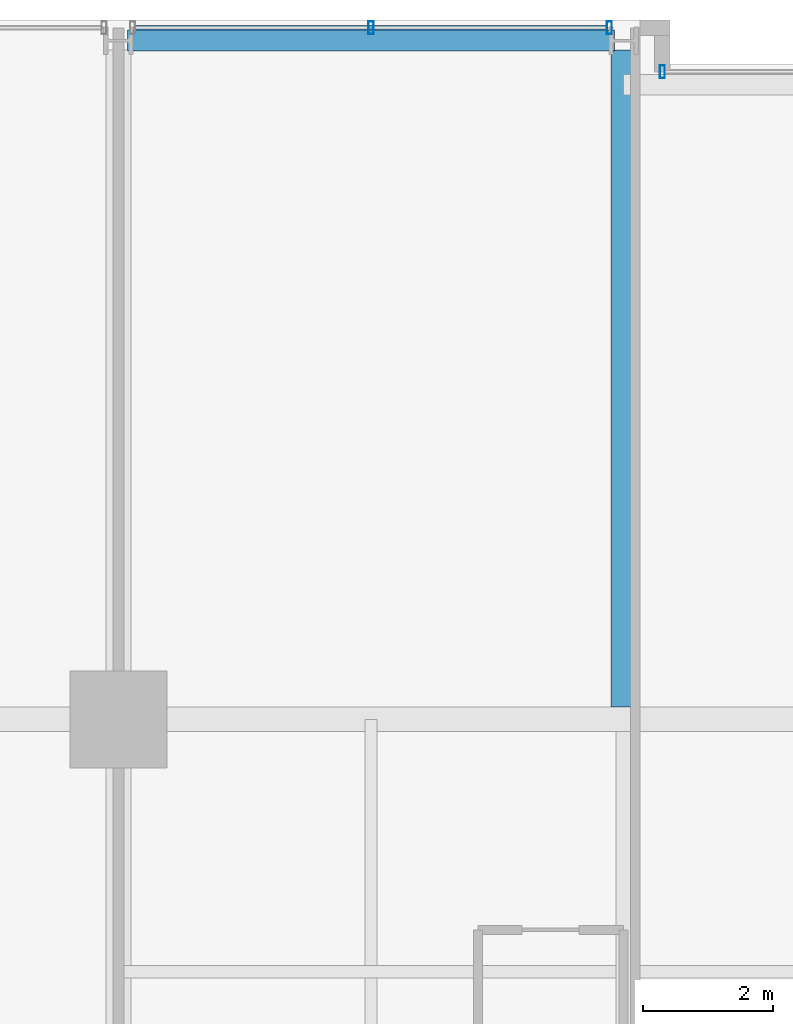
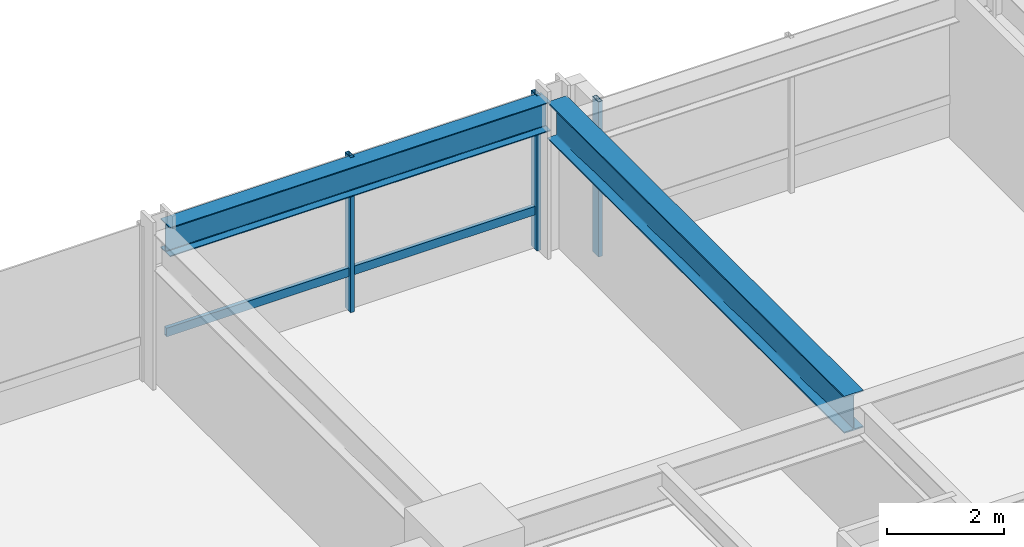
# One storey, part 21 of 33: 4 members, 2 beams, 2 elements without a shape of their own.
"""IFC4 building model written with IfcOpenShell, lengths in metres."""

import ifcopenshell
import ifcopenshell.guid

model = None  # the IFC model being written
_history = None  # IfcOwnerHistory: only IFC2X3 demands one
_inside = {}  # id of a spatial element -> (the spatial element, [elements in it])
_under = {}  # id of a project, library or spatial element -> (it, [spatial elements below it])
_declared = {}  # id of a project -> (the project, [libraries it declares])
_typed = {}  # id of a type object -> (the type object, [elements of that type])
_made_of = {}  # id of a material, layer set ... -> (it, [elements and type objects made of it])


def new_model(schema):
    """Start an empty IFC model of exactly this schema.

    Asked for "IFC4X3", IfcOpenShell would pick the latest addendum, in which some entities
    have other attributes; the version numbers below select the first issue.
    IFC2X3 requires an IfcOwnerHistory on every rooted entity: one is made here for all.
    """
    global model, _history
    if schema == "IFC4X3":
        model = ifcopenshell.file(schema_version=(4, 3, 0, 0))
    else:
        model = ifcopenshell.file(schema=schema)
    _inside.clear()
    _under.clear()
    _declared.clear()
    _typed.clear()
    _made_of.clear()
    _history = None
    if model.schema == "IFC2X3":
        org = make("IfcOrganization", Name="unknown")
        user = make(
            "IfcPersonAndOrganization",
            ThePerson=make("IfcPerson", FamilyName="unknown"),
            TheOrganization=org,
        )
        app = make(
            "IfcApplication",
            ApplicationDeveloper=org,
            Version="unknown",
            ApplicationFullName="unknown",
            ApplicationIdentifier="unknown",
        )
        _history = make(
            "IfcOwnerHistory",
            OwningUser=user,
            OwningApplication=app,
            ChangeAction="ADDED",
            CreationDate=0,
        )
    return model


def make(cls, **values):
    """One entity of the class cls with the attributes given. An attribute that is None is left unset."""
    return model.create_entity(
        cls, **{name: value for name, value in values.items() if value is not None}
    )


def rooted(cls, **values):
    """An entity with a GlobalId (a new one), such as an element, a storey or a relation."""
    return make(cls, GlobalId=ifcopenshell.guid.new(), OwnerHistory=_history, **values)


def si_unit(unit_type, name, prefix=None):
    """IfcSIUnit, for example si_unit("LENGTHUNIT", "METRE", prefix="MILLI")."""
    return make("IfcSIUnit", UnitType=unit_type, Prefix=prefix, Name=name)


def assignment(units):
    """IfcUnitAssignment: the units of a project."""
    return None if units is None else make("IfcUnitAssignment", Units=units)


def point(xyz):
    """IfcCartesianPoint."""
    return None if xyz is None else make("IfcCartesianPoint", Coordinates=xyz)


def direction(xyz):
    """IfcDirection."""
    return None if xyz is None else make("IfcDirection", DirectionRatios=xyz)


def frame(location, z_axis=None, x_axis=None):
    """IfcAxis2Placement3D, a coordinate frame: its origin and axes. An axis left out is left unset."""
    return make(
        "IfcAxis2Placement3D",
        Location=point(location),
        Axis=direction(z_axis),
        RefDirection=direction(x_axis),
    )


def frame_2d(location, x_axis=None):
    """IfcAxis2Placement2D, a coordinate frame in the plane: its origin and x axis."""
    return make(
        "IfcAxis2Placement2D", Location=point(location), RefDirection=direction(x_axis)
    )


def origin():
    """The frame at (0, 0, 0) with its axes left unset."""
    return frame((0.0, 0.0, 0.0))


def origin_2d():
    """The frame at (0, 0) in the plane with its x axis left unset."""
    return frame_2d((0.0, 0.0))


def place(relative_to, where):
    """IfcLocalPlacement: puts the frame where relative to a parent placement (None: the world)."""
    return make(
        "IfcLocalPlacement", PlacementRelTo=relative_to, RelativePlacement=where
    )


def context(
    kind, dimensions, precision=None, world=None, true_north=None, identifier=None
):
    """IfcGeometricRepresentationContext, for example the 3D "Model" context."""
    return make(
        "IfcGeometricRepresentationContext",
        ContextIdentifier=identifier,
        ContextType=kind,
        CoordinateSpaceDimension=dimensions,
        Precision=precision,
        WorldCoordinateSystem=world,
        TrueNorth=true_north,
    )


def subcontext(parent, identifier, kind, view, scale=None):
    """IfcGeometricRepresentationSubContext, for example "Body" below "Model"."""
    return make(
        "IfcGeometricRepresentationSubContext",
        ContextIdentifier=identifier,
        ContextType=kind,
        ParentContext=parent,
        TargetScale=scale,
        TargetView=view,
    )


def project(units=None, contexts=None):
    """IfcProject with its units and contexts."""
    return rooted(
        "IfcProject",
        Name="project",
        RepresentationContexts=contexts,
        UnitsInContext=assignment(units),
    )


def spatial(cls, under=None, at=None, **own):
    """A site, building, storey or space (cls), placed at a placement, below another one or the project."""
    s = rooted(cls, ObjectPlacement=at, **own)
    if under is not None:
        _under.setdefault(under.id(), (under, []))[1].append(s)
    return s


def profile(cls, at=None, kind="AREA", **sizes):
    """A parametric profile (cls). Its sizes go by their IFC names, for example OverallWidth=200.0."""
    return make(cls, ProfileType=kind, Position=at, **sizes)


def hollow_rectangle(**sizes):
    """IfcRectangleHollowProfileDef."""
    return profile("IfcRectangleHollowProfileDef", **sizes)


def i_section(**sizes):
    """IfcIShapeProfileDef."""
    return profile("IfcIShapeProfileDef", **sizes)


def extrude(swept, where, along, depth):
    """IfcExtrudedAreaSolid: the profile swept, set in the frame where, extruded along a direction by depth."""
    return make(
        "IfcExtrudedAreaSolid",
        SweptArea=swept,
        Position=where,
        ExtrudedDirection=direction(along),
        Depth=depth,
    )


def shape(context_of_items, identifier, shape_type, items):
    """IfcShapeRepresentation: the items that make up one representation, for example the "Body"."""
    return make(
        "IfcShapeRepresentation",
        ContextOfItems=context_of_items,
        RepresentationIdentifier=identifier,
        RepresentationType=shape_type,
        Items=items,
    )


def material(Name=None, Category=None):
    """IfcMaterial."""
    return make("IfcMaterial", Name=Name, Category=Category)


def layer(
    of_material, thickness, ventilated=None, Name=None, Category=None, Priority=None
):
    """IfcMaterialLayer: one layer of a wall or slab, of a material (None: an air gap)."""
    return make(
        "IfcMaterialLayer",
        Material=of_material,
        LayerThickness=thickness,
        IsVentilated=ventilated,
        Name=Name,
        Category=Category,
        Priority=Priority,
    )


def layer_set(layers, Name=None):
    """IfcMaterialLayerSet."""
    return make("IfcMaterialLayerSet", MaterialLayers=layers, LayerSetName=Name)


def material_profile(
    of_material, cross_section, Name=None, Category=None, Priority=None
):
    """IfcMaterialProfile: a cross section and its material."""
    return make(
        "IfcMaterialProfile",
        Name=Name,
        Material=of_material,
        Profile=cross_section,
        Priority=Priority,
        Category=Category,
    )


def profile_set(profiles, Name=None, composite=None):
    """IfcMaterialProfileSet."""
    return make(
        "IfcMaterialProfileSet",
        Name=Name,
        MaterialProfiles=profiles,
        CompositeProfile=composite,
    )


def made_of(thing, what):
    """Note that an element or type object is made of a material, layer set ...; save() writes the relation."""
    if what is not None:
        _made_of.setdefault(what.id(), (what, []))[1].append(thing)
    return thing


def type_object(cls, material=None, **own):
    """A type object (cls), such as IfcWallType, which elements share."""
    return made_of(rooted(cls, **own), material)


def element(
    cls,
    number,
    at=None,
    inside=None,
    cuts=None,
    type_object=None,
    material=None,
    context=None,
    identifier="Body",
    shape_type=None,
    held_by="IfcProductDefinitionShape",
    body=None,
    shapes=None,
    **own,
):
    """One element of the class cls, such as IfcWall. Its Tag is "e" and its number.

    at: its placement. inside: the storey or other place that contains it. cuts: it is an
    opening in that element (IfcRelVoidsElement). A single representation is given by context,
    identifier, shape_type and body (its items); several are given by shapes. held_by: the class
    of the entity that holds the representations. save() writes the other relations.
    """
    e = rooted(cls, Tag="e%d" % number, ObjectPlacement=at, **own)
    if body is not None:
        shapes = [shape(context, identifier, shape_type, body)]
    if shapes is not None:
        e.Representation = make(held_by, Representations=shapes)
    if inside is not None:
        _inside.setdefault(inside.id(), (inside, []))[1].append(e)
    if cuts is not None:
        rooted(
            "IfcRelVoidsElement", RelatingBuildingElement=cuts, RelatedOpeningElement=e
        )
    if type_object is not None:
        _typed.setdefault(type_object.id(), (type_object, []))[1].append(e)
    return made_of(e, material)


def aggregate(whole, parts):
    """IfcRelAggregates: a whole, such as a stair, and the parts it consists of."""
    return rooted("IfcRelAggregates", RelatingObject=whole, RelatedObjects=parts)


def save(model, path):
    """Write the relations noted so far, then the file.

    IfcRelAggregates (storeys below a building ...), IfcRelContainedInSpatialStructure (elements
    in a storey), IfcRelDefinesByType, IfcRelAssociatesMaterial and IfcRelDeclares: one each for
    every whole, place, type object, material and project.
    """
    for whole, parts in _under.values():
        aggregate(whole, parts)
    for where, things in _inside.values():
        rooted(
            "IfcRelContainedInSpatialStructure",
            RelatedElements=things,
            RelatingStructure=where,
        )
    for kind, things in _typed.values():
        rooted("IfcRelDefinesByType", RelatedObjects=things, RelatingType=kind)
    for what, things in _made_of.values():
        rooted("IfcRelAssociatesMaterial", RelatedObjects=things, RelatingMaterial=what)
    for by, libraries in _declared.values():
        rooted("IfcRelDeclares", RelatingContext=by, RelatedDefinitions=libraries)
    model.write(path)


model = new_model("IFC4")

# Units and contexts
model_context = context("Model", 3, precision=1e-05, world=origin(), true_north=direction((0.0, 1.0)))
body_context = subcontext(model_context, "Body", "Model", "MODEL_VIEW")
ifc_project = project(units=[si_unit("LENGTHUNIT", "METRE"), si_unit("AREAUNIT", "SQUARE_METRE"), si_unit("VOLUMEUNIT", "CUBIC_METRE"), si_unit("PLANEANGLEUNIT", "RADIAN"), si_unit("MASSUNIT", "GRAM", prefix="KILO")], contexts=[model_context])

# Site, building, storey
site_placement = place(None, origin())
site = spatial("IfcSite", under=ifc_project, at=site_placement, CompositionType="ELEMENT")
building_placement = place(site_placement, origin())
building = spatial("IfcBuilding", under=site, at=building_placement, Name="Drelvath Grand Hotel", CompositionType="ELEMENT")
storey_placement = place(building_placement, frame((0.0, 0.0, 105.800048828125)))
storey = spatial("IfcBuildingStorey", under=building, at=storey_placement, Name="L26", CompositionType="ELEMENT", Elevation=105.800048828125)

# Curtain wall, members
ifc_material_1 = material(Name="Champagne Bronze Anodised Aluminium Frame", Category="aluminium")
ifc_layer = layer(ifc_material_1, 0.199951171875)
ifc_layer_set = layer_set([ifc_layer], Name="Champagne Bronze Anodised Aluminium Frame")
curtain_wall_type = type_object("IfcCurtainWallType", Name="Stick Curtain Wall CW-03 Champagne Bronze Mid-Rise", PredefinedType="NOTDEFINED", material=ifc_layer_set)
curtain_wall_1_placement = place(storey_placement, origin())
curtain_wall_1 = element("IfcCurtainWall", 1, at=curtain_wall_1_placement, inside=storey, type_object=curtain_wall_type, Name="L26 CW-03 Curtain Wall CW03-L26-NW2", PredefinedType="NOTDEFINED")
ifc_material_profile_1 = material_profile(ifc_material_1, hollow_rectangle(XDim=0.074951171875, YDim=0.179931640625, WallThickness=0.0048828125, at=origin_2d()), Name="HSS180X75X5")
ifc_profile_set_1 = profile_set([ifc_material_profile_1], Name="Champagne Bronze Anodised Aluminium Frame")
member_type_1 = type_object("IfcMemberType", Name="Curtain Wall Horizontal Transom CW-03 HSS180X75X5", PredefinedType="USERDEFINED", material=ifc_profile_set_1)
member_1_placement = place(storey_placement, frame((-15.9404296875, 53.8798828125, 0.81005859375), z_axis=(1.0, 0.0, 0.0), x_axis=(0.0, 1.0, 0.0)))
member_1 = element("IfcMember", 2, at=member_1_placement, type_object=member_type_1, Name="CW03-L26-NW2 Sill Transom", ObjectType="TRANSOM", PredefinedType="USERDEFINED", context=body_context, shape_type="SweptSolid", body=[
    extrude(hollow_rectangle(XDim=0.074951171875, YDim=0.179931640625, WallThickness=0.0048828125, at=origin_2d()), origin(), (0.0, 0.0, 1.0), 7.28076171875),
])
ifc_material_profile_2 = material_profile(ifc_material_1, hollow_rectangle(XDim=0.080078125, YDim=0.199951171875, WallThickness=0.0048828125, at=origin_2d()), Name="HSS200X80X5")
ifc_profile_set_2 = profile_set([ifc_material_profile_2], Name="Champagne Bronze Anodised Aluminium Frame")
member_type_2 = type_object("IfcMemberType", Name="Curtain Wall Vertical Mullion CW-03 HSS200X80X5", PredefinedType="MULLION", material=ifc_profile_set_2)
member_2_placement = place(storey_placement, frame((-12.300048828125, 53.8798828125, 0.0), z_axis=(0.0, 0.0, 1.0), x_axis=(1.0, 0.0, 0.0)))
member_2 = element("IfcMember", 3, at=member_2_placement, type_object=member_type_2, Name="CW03-L26-NW2 Mullion 2", PredefinedType="MULLION", context=body_context, shape_type="SweptSolid", body=[
    extrude(hollow_rectangle(XDim=0.080078125, YDim=0.199951171875, WallThickness=0.0048828125, at=origin_2d()), origin(), (0.0, 0.0, 1.0), 3.239990234375),
])
member_3_placement = place(storey_placement, frame((-8.61962890625, 53.8798828125, 0.0), z_axis=(0.0, 0.0, 1.0), x_axis=(1.0, 0.0, 0.0)))
member_3 = element("IfcMember", 4, at=member_3_placement, type_object=member_type_2, Name="CW03-L26-NW2 Mullion 3", PredefinedType="MULLION", context=body_context, shape_type="SweptSolid", body=[
    extrude(hollow_rectangle(XDim=0.080078125, YDim=0.199951171875, WallThickness=0.0048828125, at=origin_2d()), origin(), (0.0, 0.0, 1.0), 3.239990234375),
])
aggregate(curtain_wall_1, [member_2, member_3, member_1])

# Curtain wall, member
curtain_wall_2_placement = place(storey_placement, origin())
curtain_wall_2 = element("IfcCurtainWall", 5, at=curtain_wall_2_placement, inside=storey, type_object=curtain_wall_type, Name="L26 CW-03 Curtain Wall CW03-L26-NM1", PredefinedType="NOTDEFINED")
member_4_placement = place(storey_placement, frame((-7.800048828125, 53.199951171875, 0.0), z_axis=(0.0, 0.0, 1.0), x_axis=(1.0, 0.0, 0.0)))
member_4 = element("IfcMember", 6, at=member_4_placement, type_object=member_type_2, Name="CW03-L26-NM1 Mullion 1", PredefinedType="MULLION", context=body_context, shape_type="SweptSolid", body=[
    extrude(hollow_rectangle(XDim=0.080078125, YDim=0.199951171875, WallThickness=0.0048828125, at=origin_2d()), origin(), (0.0, 0.0, 1.0), 3.239990234375),
])
aggregate(curtain_wall_2, [member_4])

# Beams
ifc_material_2 = material(Name="Steel ASTM A992 Gr 50", Category="steel")
ifc_material_profile_3 = material_profile(ifc_material_2, i_section(OverallWidth=0.323974609375, OverallDepth=0.611083984375, WebThickness=0.0126953125, FlangeThickness=0.01904296875, FilletRadius=0.02197265625, at=origin_2d()), Name="W24X104")
ifc_profile_set_3 = profile_set([ifc_material_profile_3], Name="Steel ASTM A992 Gr 50")
beam_type_1 = type_object("IfcBeamType", Name="Perimeter Spandrel Beam W24X104", PredefinedType="SPANDREL", material=ifc_profile_set_3)
beam_1_placement = place(storey_placement, frame((-16.06005859375, 53.679931640625, 2.9345703125), z_axis=(1.0, 0.0, 0.0), x_axis=(0.0, 1.0, 0.0)))
element("IfcBeam", 7, at=beam_1_placement, inside=storey, type_object=beam_type_1, Name="L26 Spandrel North W", PredefinedType="SPANDREL", context=body_context, shape_type="SweptSolid", body=[
    extrude(i_section(OverallWidth=0.323974609375, OverallDepth=0.611083984375, WebThickness=0.0126953125, FlangeThickness=0.01904296875, FilletRadius=0.02197265625, at=origin_2d()), origin(), (0.0, 0.0, 1.0), 7.52001953125),
])
ifc_material_profile_4 = material_profile(ifc_material_2, i_section(OverallWidth=0.380615234375, OverallDepth=0.773193359375, WebThickness=0.0166015625, FlangeThickness=0.027099609375, FilletRadius=0.02490234375, at=origin_2d()), Name="W30X173")
ifc_profile_set_4 = profile_set([ifc_material_profile_4], Name="Steel ASTM A992 Gr 50")
beam_type_2 = type_object("IfcBeamType", Name="Primary Floor Girder W30X173", PredefinedType="BEAM", material=ifc_profile_set_4)
beam_2_placement = place(storey_placement, frame((-8.39990234375, 43.390380859375, 2.853271484375), z_axis=(0.0, 1.0, 0.0), x_axis=(-1.0, 0.0, 0.0)))
element("IfcBeam", 8, at=beam_2_placement, inside=storey, type_object=beam_type_2, Name="L26 North Wing Girder 4", PredefinedType="BEAM", context=body_context, shape_type="SweptSolid", body=[
    extrude(i_section(OverallWidth=0.380615234375, OverallDepth=0.773193359375, WebThickness=0.0166015625, FlangeThickness=0.027099609375, FilletRadius=0.02490234375, at=origin_2d()), origin(), (0.0, 0.0, 1.0), 10.149658203125),
])

save(model, "model.ifc")
